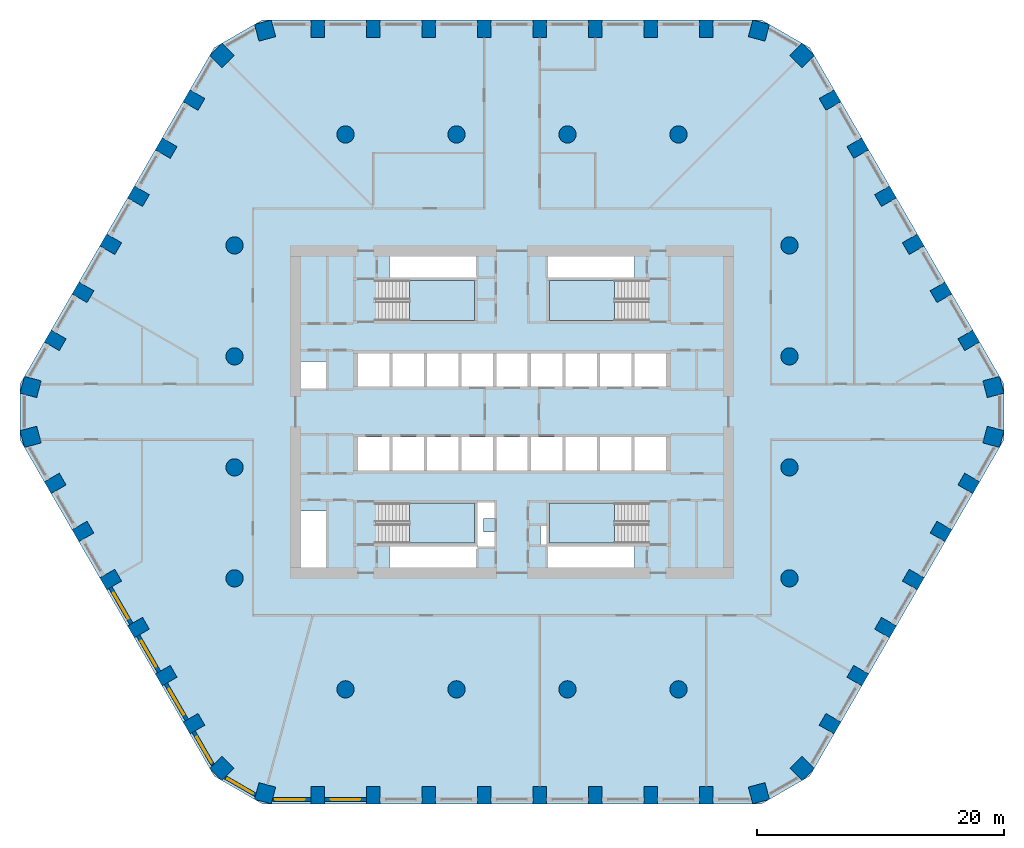
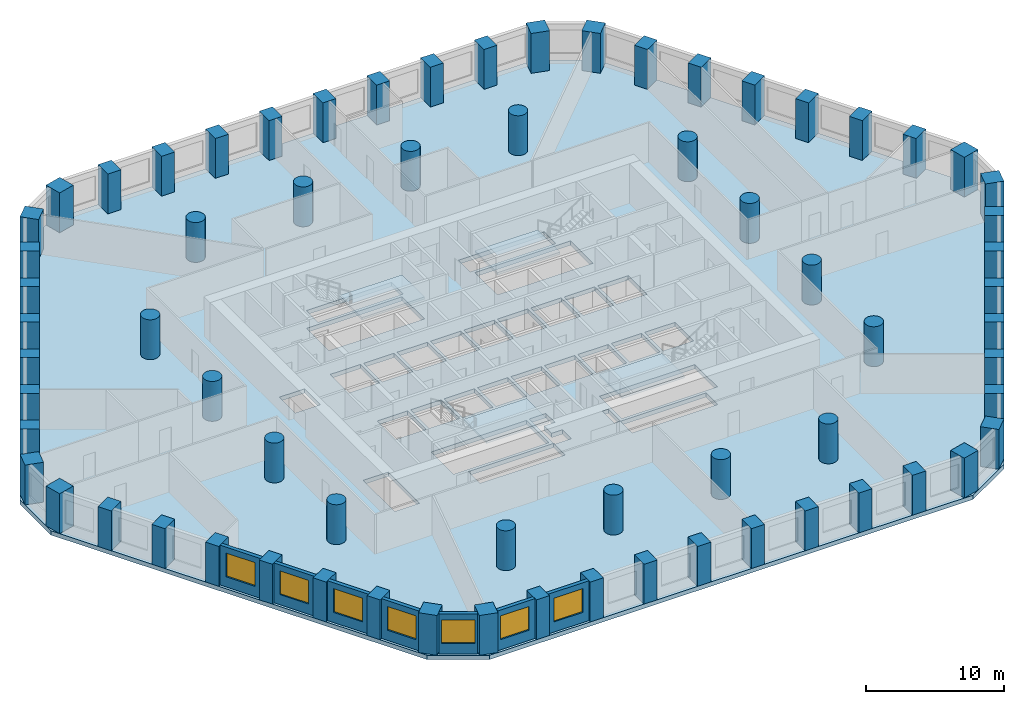
# One storey, part 1 of 10: 68 columns, 7 walls, 7 windows, 5 slabs, 7 openings, 4 elements without a shape of their own.
"""IFC4 building model written with IfcOpenShell, lengths in metres."""

from ifc_helpers import new_model, si_unit, direction, frame, frame_2d, origin, origin_2d, place, context, subcontext, project, spatial, polyline, rectangle, circle, outline, extrude, material, layer, layer_set, material_profile, profile_set, type_object, element, fill, aggregate, save


model = new_model("IFC4")

# Units and contexts
model_context = context("Model", 3, precision=1e-05, world=origin(), true_north=direction((0.0, 1.0)))
body_context = subcontext(model_context, "Body", "Model", "MODEL_VIEW")
ifc_project = project(units=[si_unit("LENGTHUNIT", "METRE"), si_unit("AREAUNIT", "SQUARE_METRE"), si_unit("VOLUMEUNIT", "CUBIC_METRE"), si_unit("PLANEANGLEUNIT", "RADIAN"), si_unit("MASSUNIT", "GRAM", prefix="KILO")], contexts=[model_context])

# Site, building, storey
site_placement = place(None, origin())
site = spatial("IfcSite", under=ifc_project, at=site_placement, CompositionType="ELEMENT")
building_placement = place(site_placement, origin())
building = spatial("IfcBuilding", under=site, at=building_placement, Name="Dhurran Vertical Campus", CompositionType="ELEMENT")
storey_placement = place(building_placement, frame((0.0, 0.0, 61.199951171875)))
storey = spatial("IfcBuildingStorey", under=building, at=storey_placement, Name="L14", CompositionType="ELEMENT", Elevation=61.199951171875)

# Columns
ifc_material_1 = material(Name="Concrete C70/85", Category="concrete")
ifc_material_profile_1 = material_profile(ifc_material_1, rectangle(XDim=1.10009765625, YDim=1.39990234375, at=origin_2d()), Name="RC 1100x1400")
ifc_profile_set_1 = profile_set([ifc_material_profile_1], Name="Concrete C70/85")
column_type_1 = type_object("IfcColumnType", Name="FR COL RC 1100x1400 C70/85", PredefinedType="COLUMN", material=ifc_profile_set_1)
for number, where, z_axis, x_axis, name in (
    (1, (-15.75, -31.079833984375, 0.0), (0.0, 0.0, 1.0), (1.0, 0.0, 0.0), "Perimeter pier PP1.01"),
    (2, (-11.25, -31.079833984375, 0.0), (0.0, 0.0, 1.0), (1.0, 0.0, 0.0), "Perimeter pier PP1.02"),
    (3, (-6.75, -31.079833984375, 0.0), (0.0, 0.0, 1.0), (1.0, 0.0, 0.0), "Perimeter pier PP1.03"),
    (4, (-2.25, -31.079833984375, 0.0), (0.0, 0.0, 1.0), (1.0, 0.0, 0.0), "Perimeter pier PP1.04"),
    (5, (2.25, -31.079833984375, 0.0), (0.0, 0.0, 1.0), (1.0, 0.0, 0.0), "Perimeter pier PP1.05"),
    (6, (6.75, -31.079833984375, 0.0), (0.0, 0.0, 1.0), (1.0, 0.0, 0.0), "Perimeter pier PP1.06"),
    (7, (11.25, -31.079833984375, 0.0), (0.0, 0.0, 1.0), (1.0, 0.0, 0.0), "Perimeter pier PP1.07"),
    (8, (15.75, -31.079833984375, 0.0), (0.0, 0.0, 1.0), (1.0, 0.0, 0.0), "Perimeter pier PP1.08"),
    (9, (25.791015625, -25.28271484375, 0.0), (0.0, 0.0, 1.0), (0.5, 0.866025403784, 0.0), "Perimeter pier PP1.11"),
    (10, (28.041015625, -21.385498046875, 0.0), (0.0, 0.0, 1.0), (0.5, 0.866025403784, 0.0), "Perimeter pier PP1.12"),
    (11, (30.291015625, -17.488525390625, 0.0), (0.0, 0.0, 1.0), (0.5, 0.866025403784, 0.0), "Perimeter pier PP1.13"),
    (12, (32.541015625, -13.59130859375, 0.0), (0.0, 0.0, 1.0), (0.5, 0.866025403784, 0.0), "Perimeter pier PP1.14"),
    (13, (34.791015625, -9.694091796875, 0.0), (0.0, 0.0, 1.0), (0.5, 0.866025403784, 0.0), "Perimeter pier PP1.15"),
    (14, (37.041015625, -5.797119140625, 0.0), (0.0, 0.0, 1.0), (0.5, 0.866025403784, 0.0), "Perimeter pier PP1.16"),
    (15, (37.041015625, 5.797119140625, 0.0), (0.0, 0.0, 1.0), (-0.5, 0.866025403784, 0.0), "Perimeter pier PP1.19"),
    (16, (34.791015625, 9.694091796875, 0.0), (0.0, 0.0, 1.0), (-0.5, 0.866025403784, 0.0), "Perimeter pier PP1.20"),
    (17, (32.541015625, 13.59130859375, 0.0), (0.0, 0.0, 1.0), (-0.5, 0.866025403784, 0.0), "Perimeter pier PP1.21"),
    (18, (30.291015625, 17.488525390625, 0.0), (0.0, 0.0, 1.0), (-0.5, 0.866025403784, 0.0), "Perimeter pier PP1.22"),
    (19, (28.041015625, 21.385498046875, 0.0), (0.0, 0.0, 1.0), (-0.5, 0.866025403784, 0.0), "Perimeter pier PP1.23"),
    (20, (25.791015625, 25.28271484375, 0.0), (0.0, 0.0, 1.0), (-0.5, 0.866025403784, 0.0), "Perimeter pier PP1.24"),
    (21, (15.75, 31.079833984375, 0.0), (0.0, 0.0, 1.0), (-1.0, 0.0, 0.0), "Perimeter pier PP1.27"),
    (22, (11.25, 31.079833984375, 0.0), (0.0, 0.0, 1.0), (-1.0, 0.0, 0.0), "Perimeter pier PP1.28"),
    (23, (6.75, 31.079833984375, 0.0), (0.0, 0.0, 1.0), (-1.0, 0.0, 0.0), "Perimeter pier PP1.29"),
    (24, (2.25, 31.079833984375, 0.0), (0.0, 0.0, 1.0), (-1.0, 0.0, 0.0), "Perimeter pier PP1.30"),
    (25, (-2.25, 31.079833984375, 0.0), (0.0, 0.0, 1.0), (-1.0, 0.0, 0.0), "Perimeter pier PP1.31"),
    (26, (-6.75, 31.079833984375, 0.0), (0.0, 0.0, 1.0), (-1.0, 0.0, 0.0), "Perimeter pier PP1.32"),
    (27, (-11.25, 31.079833984375, 0.0), (0.0, 0.0, 1.0), (-1.0, 0.0, 0.0), "Perimeter pier PP1.33"),
    (28, (-15.75, 31.079833984375, 0.0), (0.0, 0.0, 1.0), (-1.0, 0.0, 0.0), "Perimeter pier PP1.34"),
    (29, (-25.791015625, 25.28271484375, 0.0), (0.0, 0.0, 1.0), (-0.5, -0.866025403784, 0.0), "Perimeter pier PP1.37"),
    (30, (-28.041015625, 21.385498046875, 0.0), (0.0, 0.0, 1.0), (-0.5, -0.866025403784, 0.0), "Perimeter pier PP1.38"),
    (31, (-30.291015625, 17.488525390625, 0.0), (0.0, 0.0, 1.0), (-0.5, -0.866025403784, 0.0), "Perimeter pier PP1.39"),
    (32, (-32.541015625, 13.59130859375, 0.0), (0.0, 0.0, 1.0), (-0.5, -0.866025403784, 0.0), "Perimeter pier PP1.40"),
    (33, (-34.791015625, 9.694091796875, 0.0), (0.0, 0.0, 1.0), (-0.5, -0.866025403784, 0.0), "Perimeter pier PP1.41"),
    (34, (-37.041015625, 5.797119140625, 0.0), (0.0, 0.0, 1.0), (-0.5, -0.866025403784, 0.0), "Perimeter pier PP1.42"),
    (35, (-37.041015625, -5.797119140625, 0.0), (0.0, 0.0, 1.0), (0.5, -0.866025403784, 0.0), "Perimeter pier PP1.45"),
    (36, (-34.791015625, -9.694091796875, 0.0), (0.0, 0.0, 1.0), (0.5, -0.866025403784, 0.0), "Perimeter pier PP1.46"),
    (37, (-32.541015625, -13.59130859375, 0.0), (0.0, 0.0, 1.0), (0.5, -0.866025403784, 0.0), "Perimeter pier PP1.47"),
    (38, (-30.291015625, -17.488525390625, 0.0), (0.0, 0.0, 1.0), (0.5, -0.866025403784, 0.0), "Perimeter pier PP1.48"),
    (39, (-28.041015625, -21.385498046875, 0.0), (0.0, 0.0, 1.0), (0.5, -0.866025403784, 0.0), "Perimeter pier PP1.49"),
    (40, (-25.791015625, -25.28271484375, 0.0), (0.0, 0.0, 1.0), (0.5, -0.866025403784, 0.0), "Perimeter pier PP1.50"),
):
    element("IfcColumn", number, at=place(storey_placement, frame(where, z_axis=z_axis, x_axis=x_axis)), inside=storey, type_object=column_type_1, Name=name, PredefinedType="COLUMN", context=body_context, shape_type="SweptSolid", body=[
        extrude(rectangle(XDim=1.10009765625, YDim=1.39990234375, at=origin_2d()), origin(), (0.0, 0.0, 1.0), 3.525146484375),
    ])
ifc_material_2 = material(Name="Concrete C70/85", Category="concrete")
ifc_material_profile_2 = material_profile(ifc_material_2, rectangle(XDim=1.39990234375, YDim=1.39990234375, at=origin_2d()), Name="RC 1400x1400")
ifc_profile_set_2 = profile_set([ifc_material_profile_2], Name="Concrete C70/85")
column_type_2 = type_object("IfcColumnType", Name="FR COL RC 1400x1400 C70/85", PredefinedType="COLUMN", material=ifc_profile_set_2)
for number, where, z_axis, x_axis, name in (
    (41, (-20.020263671875, -30.922607421875, 0.0), (0.0, 0.0, 1.0), (0.965925826289, -0.258819045103, 0.0), "Perimeter pier PP1.00"),
    (42, (20.020263671875, -30.922607421875, 0.0), (0.0, 0.0, 1.0), (0.965925826289, 0.258819045103, 0.0), "Perimeter pier PP1.09"),
    (43, (23.51953125, -28.902099609375, 0.0), (0.0, 0.0, 1.0), (0.707106781187, 0.707106781187, 0.0), "Perimeter pier PP1.10"),
    (44, (39.039794921875, -2.020263671875, 0.0), (0.0, 0.0, 1.0), (0.258819045103, 0.965925826289, 0.0), "Perimeter pier PP1.17"),
    (45, (39.039794921875, 2.020263671875, 0.0), (0.0, 0.0, 1.0), (-0.258819045103, 0.965925826289, 0.0), "Perimeter pier PP1.18"),
    (46, (23.51953125, 28.902099609375, 0.0), (0.0, 0.0, 1.0), (-0.707106781187, 0.707106781187, 0.0), "Perimeter pier PP1.25"),
    (47, (20.020263671875, 30.922607421875, 0.0), (0.0, 0.0, 1.0), (-0.965925826289, 0.258819045103, 0.0), "Perimeter pier PP1.26"),
    (48, (-20.020263671875, 30.922607421875, 0.0), (0.0, 0.0, 1.0), (-0.965925826289, -0.258819045103, 0.0), "Perimeter pier PP1.35"),
    (49, (-23.51953125, 28.902099609375, 0.0), (0.0, 0.0, 1.0), (-0.707106781187, -0.707106781187, 0.0), "Perimeter pier PP1.36"),
    (50, (-39.039794921875, 2.020263671875, 0.0), (0.0, 0.0, 1.0), (-0.258819045103, -0.965925826289, 0.0), "Perimeter pier PP1.43"),
    (51, (-39.039794921875, -2.020263671875, 0.0), (0.0, 0.0, 1.0), (0.258819045103, -0.965925826289, 0.0), "Perimeter pier PP1.44"),
    (52, (-23.51953125, -28.902099609375, 0.0), (0.0, 0.0, 1.0), (0.707106781187, -0.707106781187, 0.0), "Perimeter pier PP1.51"),
):
    element("IfcColumn", number, at=place(storey_placement, frame(where, z_axis=z_axis, x_axis=x_axis)), inside=storey, type_object=column_type_2, Name=name, PredefinedType="COLUMN", context=body_context, shape_type="SweptSolid", body=[
        extrude(rectangle(XDim=1.39990234375, YDim=1.39990234375, at=origin_2d()), origin(), (0.0, 0.0, 1.0), 3.525146484375),
    ])
ifc_material_3 = material(Name="Concrete C70/85", Category="concrete")
ifc_material_profile_3 = material_profile(ifc_material_3, circle(Radius=0.699951171875, at=origin_2d()), Name="RCC D1400")
ifc_profile_set_3 = profile_set([ifc_material_profile_3], Name="Concrete C70/85")
column_type_3 = type_object("IfcColumnType", Name="FR COL RCC D1400 C70/85", PredefinedType="COLUMN", material=ifc_profile_set_3)
for number, where, z_axis, x_axis, name in (
    (53, (-22.5, -13.5, 0.0), (0.0, 0.0, 1.0), (1.0, 0.0, 0.0), "Inner column IC1-D4"),
    (54, (-22.5, -4.5, 0.0), (0.0, 0.0, 1.0), (1.0, 0.0, 0.0), "Inner column IC1-D5"),
    (55, (-22.5, 4.5, 0.0), (0.0, 0.0, 1.0), (1.0, 0.0, 0.0), "Inner column IC1-D6"),
    (56, (-22.5, 13.5, 0.0), (0.0, 0.0, 1.0), (1.0, 0.0, 0.0), "Inner column IC1-D7"),
    (57, (-13.5, -22.5, 0.0), (0.0, 0.0, 1.0), (1.0, 0.0, 0.0), "Inner column IC1-E3"),
    (58, (-13.5, 22.5, 0.0), (0.0, 0.0, 1.0), (1.0, 0.0, 0.0), "Inner column IC1-E8"),
    (59, (-4.5, -22.5, 0.0), (0.0, 0.0, 1.0), (1.0, 0.0, 0.0), "Inner column IC1-F3"),
    (60, (-4.5, 22.5, 0.0), (0.0, 0.0, 1.0), (1.0, 0.0, 0.0), "Inner column IC1-F8"),
    (61, (4.5, -22.5, 0.0), (0.0, 0.0, 1.0), (1.0, 0.0, 0.0), "Inner column IC1-G3"),
    (62, (4.5, 22.5, 0.0), (0.0, 0.0, 1.0), (1.0, 0.0, 0.0), "Inner column IC1-G8"),
    (63, (13.5, -22.5, 0.0), (0.0, 0.0, 1.0), (1.0, 0.0, 0.0), "Inner column IC1-H3"),
    (64, (13.5, 22.5, 0.0), (0.0, 0.0, 1.0), (1.0, 0.0, 0.0), "Inner column IC1-H8"),
    (65, (22.5, -13.5, 0.0), (0.0, 0.0, 1.0), (1.0, 0.0, 0.0), "Inner column IC1-J4"),
    (66, (22.5, -4.5, 0.0), (0.0, 0.0, 1.0), (1.0, 0.0, 0.0), "Inner column IC1-J5"),
    (67, (22.5, 4.5, 0.0), (0.0, 0.0, 1.0), (1.0, 0.0, 0.0), "Inner column IC1-J6"),
    (68, (22.5, 13.5, 0.0), (0.0, 0.0, 1.0), (1.0, 0.0, 0.0), "Inner column IC1-J7"),
):
    element("IfcColumn", number, at=place(storey_placement, frame(where, z_axis=z_axis, x_axis=x_axis)), inside=storey, type_object=column_type_3, Name=name, PredefinedType="COLUMN", context=body_context, shape_type="SweptSolid", body=[
        extrude(circle(Radius=0.699951171875, at=origin_2d()), origin(), (0.0, 0.0, 1.0), 3.525146484375),
    ])

# Slab
ifc_material_4 = material(Name="Concrete C40/50", Category="concrete")
ifc_layer_1 = layer(ifc_material_4, 0.375)
ifc_layer_set_1 = layer_set([ifc_layer_1], Name="Concrete C40/50")
slab_type_1 = type_object("IfcSlabType", Name="FR POST-TENSIONED FLAT SLAB 375", PredefinedType="FLOOR", material=ifc_layer_set_1)
slab_1_placement = place(storey_placement, frame((0.0, 0.0, -0.375)))
element("IfcSlab", 69, at=slab_1_placement, inside=storey, type_object=slab_type_1, Name="Floor slab L14", PredefinedType="FLOOR", context=body_context, shape_type="SweptSolid", body=[
    extrude(outline(polyline([(-20.25, -31.77978515625), (20.25, -31.77978515625), (24.147216796875, -29.52978515625), (39.897216796875, -2.25), (39.897216796875, 2.25), (24.147216796875, 29.52978515625), (20.25, 31.77978515625), (-20.25, 31.77978515625), (-24.147216796875, 29.52978515625), (-39.897216796875, 2.25), (-39.897216796875, -2.25), (-24.147216796875, -29.52978515625), (-20.25, -31.77978515625)]), holes=[polyline([(-12.47509765625, 2.050048828125), (-9.925048828125, 2.050048828125), (-9.925048828125, 4.75), (-12.47509765625, 4.75), (-12.47509765625, 2.050048828125)]), polyline([(-9.675048828125, 2.050048828125), (-7.125, 2.050048828125), (-7.125, 4.75), (-9.675048828125, 4.75), (-9.675048828125, 2.050048828125)]), polyline([(-6.875, 2.050048828125), (-4.324951171875, 2.050048828125), (-4.324951171875, 4.75), (-6.875, 4.75), (-6.875, 2.050048828125)]), polyline([(-1.27490234375, 2.050048828125), (1.27490234375, 2.050048828125), (1.27490234375, 4.75), (-1.27490234375, 4.75), (-1.27490234375, 2.050048828125)]), polyline([(9.925048828125, 2.050048828125), (12.47509765625, 2.050048828125), (12.47509765625, 4.75), (9.925048828125, 4.75), (9.925048828125, 2.050048828125)]), polyline([(-1.27490234375, -4.75), (1.27490234375, -4.75), (1.27490234375, -2.050048828125), (-1.27490234375, -2.050048828125), (-1.27490234375, -4.75)]), polyline([(1.52490234375, -4.75), (4.074951171875, -4.75), (4.074951171875, -2.050048828125), (1.52490234375, -2.050048828125), (1.52490234375, -4.75)]), polyline([(4.324951171875, -4.75), (6.875, -4.75), (6.875, -2.050048828125), (4.324951171875, -2.050048828125), (4.324951171875, -4.75)]), polyline([(7.125, -4.75), (9.675048828125, -4.75), (9.675048828125, -2.050048828125), (7.125, -2.050048828125), (7.125, -4.75)]), polyline([(9.925048828125, -4.75), (12.47509765625, -4.75), (12.47509765625, -2.050048828125), (9.925048828125, -2.050048828125), (9.925048828125, -4.75)]), polyline([(-4.074951171875, 2.050048828125), (-1.52490234375, 2.050048828125), (-1.52490234375, 4.75), (-4.074951171875, 4.75), (-4.074951171875, 2.050048828125)]), polyline([(1.52490234375, 2.050048828125), (4.074951171875, 2.050048828125), (4.074951171875, 4.75), (1.52490234375, 4.75), (1.52490234375, 2.050048828125)]), polyline([(4.324951171875, 2.050048828125), (6.875, 2.050048828125), (6.875, 4.75), (4.324951171875, 4.75), (4.324951171875, 2.050048828125)]), polyline([(7.125, 2.050048828125), (9.675048828125, 2.050048828125), (9.675048828125, 4.75), (7.125, 4.75), (7.125, 2.050048828125)]), polyline([(-12.47509765625, -4.75), (-9.925048828125, -4.75), (-9.925048828125, -2.050048828125), (-12.47509765625, -2.050048828125), (-12.47509765625, -4.75)]), polyline([(-9.675048828125, -4.75), (-7.125, -4.75), (-7.125, -2.050048828125), (-9.675048828125, -2.050048828125), (-9.675048828125, -4.75)]), polyline([(-6.875, -4.75), (-4.324951171875, -4.75), (-4.324951171875, -2.050048828125), (-6.875, -2.050048828125), (-6.875, -4.75)]), polyline([(-4.074951171875, -4.75), (-1.52490234375, -4.75), (-1.52490234375, -2.050048828125), (-4.074951171875, -2.050048828125), (-4.074951171875, -4.75)]), polyline([(-11.050048828125, 7.39990234375), (-3.050048828125, 7.39990234375), (-3.050048828125, 10.64990234375), (-11.050048828125, 10.64990234375), (-11.050048828125, 7.39990234375)]), polyline([(3.050048828125, 7.39990234375), (11.050048828125, 7.39990234375), (11.050048828125, 10.64990234375), (3.050048828125, 10.64990234375), (3.050048828125, 7.39990234375)]), polyline([(-11.050048828125, -10.64990234375), (-3.050048828125, -10.64990234375), (-3.050048828125, -7.39990234375), (-11.050048828125, -7.39990234375), (-11.050048828125, -10.64990234375)]), polyline([(3.050048828125, -10.64990234375), (11.050048828125, -10.64990234375), (11.050048828125, -7.39990234375), (3.050048828125, -7.39990234375), (3.050048828125, -10.64990234375)]), polyline([(-9.949951171875, 10.89990234375), (-9.949951171875, 12.60009765625), (-2.800048828125, 12.60009765625), (-2.800048828125, 10.89990234375), (-9.949951171875, 10.89990234375)]), polyline([(9.949951171875, 12.60009765625), (9.949951171875, 10.89990234375), (2.800048828125, 10.89990234375), (2.800048828125, 12.60009765625), (9.949951171875, 12.60009765625)]), polyline([(-9.949951171875, -12.60009765625), (-9.949951171875, -10.89990234375), (-2.800048828125, -10.89990234375), (-2.800048828125, -12.60009765625), (-9.949951171875, -12.60009765625)]), polyline([(9.949951171875, -10.89990234375), (9.949951171875, -12.60009765625), (2.800048828125, -12.60009765625), (2.800048828125, -10.89990234375), (9.949951171875, -10.89990234375)]), polyline([(-17.10009765625, -8.050048828125), (-15.0, -8.050048828125), (-15.0, -12.60009765625), (-17.10009765625, -12.60009765625), (-17.10009765625, -8.050048828125)]), polyline([(-2.800048828125, -7.35009765625), (-1.39990234375, -7.35009765625), (-1.39990234375, -8.637451171875), (-2.300048828125, -8.637451171875), (-2.300048828125, -9.737548828125), (-1.39990234375, -9.737548828125), (-1.39990234375, -11.02490234375), (-2.75, -11.02490234375), (-2.75, -10.85009765625), (-2.800048828125, -10.85009765625), (-2.800048828125, -7.35009765625)]), polyline([(2.300048828125, -10.867431640625), (2.300048828125, -9.135009765625), (2.800048828125, -9.135009765625), (2.800048828125, -10.85009765625), (2.75, -10.85009765625), (2.75, -10.867431640625), (2.300048828125, -10.867431640625)]), polyline([(-17.10009765625, 4.10009765625), (-15.0, 4.10009765625), (-15.0, 1.800048828125), (-17.10009765625, 1.800048828125), (-17.10009765625, 4.10009765625)])]), origin(), (0.0, 0.0, 1.0), 0.375),
])

# Stair, slab
ifc_material_5 = material(Name="Concrete C40/50", Category="concrete")
stair_type = type_object("IfcStairType", Name="co-ST-CORE", PredefinedType="HALF_TURN_STAIR", material=ifc_material_5)
stair_1_placement = place(storey_placement, origin())
stair_1 = element("IfcStair", 70, at=stair_1_placement, inside=storey, type_object=stair_type, Name="L14 Protected exit stair ST1", PredefinedType="HALF_TURN_STAIR")
ifc_material_6 = material(Name="Concrete C40/50", Category="concrete")
ifc_layer_2 = layer(ifc_material_6, 0.199951171875)
ifc_layer_set_2 = layer_set([ifc_layer_2], Name="Concrete C40/50")
slab_type_2 = type_object("IfcSlabType", Name="co-SL-LANDING", PredefinedType="LANDING", material=ifc_layer_set_2)
slab_2_placement = place(storey_placement, frame((0.0, 0.0, 1.75)))
slab_2 = element("IfcSlab", 71, at=slab_2_placement, type_object=slab_type_2, Name="ST1 landing 1", PredefinedType="LANDING", context=body_context, shape_type="SweptSolid", body=[
    extrude(outline(polyline([(-8.300048828125, 7.39990234375), (-3.050048828125, 7.39990234375), (-3.050048828125, 10.64990234375), (-8.300048828125, 10.64990234375), (-8.300048828125, 7.39990234375)])), origin(), (0.0, 0.0, 1.0), 0.199951171875),
])
aggregate(stair_1, [slab_2])

stair_2_placement = place(storey_placement, origin())
stair_2 = element("IfcStair", 72, at=stair_2_placement, inside=storey, type_object=stair_type, Name="L14 Protected exit stair ST2", PredefinedType="HALF_TURN_STAIR")
slab_3_placement = place(storey_placement, frame((0.0, 0.0, 1.75)))
slab_3 = element("IfcSlab", 73, at=slab_3_placement, type_object=slab_type_2, Name="ST2 landing 1", PredefinedType="LANDING", context=body_context, shape_type="SweptSolid", body=[
    extrude(outline(polyline([(8.300048828125, 10.64990234375), (3.050048828125, 10.64990234375), (3.050048828125, 7.39990234375), (8.300048828125, 7.39990234375), (8.300048828125, 10.64990234375)])), origin(), (0.0, 0.0, 1.0), 0.199951171875),
])
aggregate(stair_2, [slab_3])

stair_3_placement = place(storey_placement, origin())
stair_3 = element("IfcStair", 74, at=stair_3_placement, inside=storey, type_object=stair_type, Name="L14 Protected exit stair ST3", PredefinedType="HALF_TURN_STAIR")
slab_4_placement = place(storey_placement, frame((0.0, 0.0, 1.75)))
slab_4 = element("IfcSlab", 75, at=slab_4_placement, type_object=slab_type_2, Name="ST3 landing 1", PredefinedType="LANDING", context=body_context, shape_type="SweptSolid", body=[
    extrude(outline(polyline([(-8.300048828125, -10.64990234375), (-3.050048828125, -10.64990234375), (-3.050048828125, -7.39990234375), (-8.300048828125, -7.39990234375), (-8.300048828125, -10.64990234375)])), origin(), (0.0, 0.0, 1.0), 0.199951171875),
])
aggregate(stair_3, [slab_4])

stair_4_placement = place(storey_placement, origin())
stair_4 = element("IfcStair", 76, at=stair_4_placement, inside=storey, type_object=stair_type, Name="L14 Protected exit stair ST4", PredefinedType="HALF_TURN_STAIR")
slab_5_placement = place(storey_placement, frame((0.0, 0.0, 1.75)))
slab_5 = element("IfcSlab", 77, at=slab_5_placement, type_object=slab_type_2, Name="ST4 landing 1", PredefinedType="LANDING", context=body_context, shape_type="SweptSolid", body=[
    extrude(outline(polyline([(8.300048828125, -7.39990234375), (3.050048828125, -7.39990234375), (3.050048828125, -10.64990234375), (8.300048828125, -10.64990234375), (8.300048828125, -7.39990234375)])), origin(), (0.0, 0.0, 1.0), 0.199951171875),
])
aggregate(stair_4, [slab_5])

# Wall, opening, window
ifc_material_7 = material(Name="Precast concrete C50/60", Category="concrete")
ifc_layer_3 = layer(ifc_material_7, 0.300048828125)
ifc_layer_set_3 = layer_set([ifc_layer_3], Name="Precast concrete C50/60")
wall_type = type_object("IfcWallType", Name="Precast spandrel wall 300", PredefinedType="SOLIDWALL", material=ifc_layer_set_3)
wall_1_placement = place(storey_placement, frame((-19.39111328125, -31.4296875, 0.0), z_axis=(0.0, 0.0, 1.0), x_axis=(1.0, 0.0, 0.0)))
wall_1 = element("IfcWall", 78, at=wall_1_placement, inside=storey, type_object=wall_type, Name="EW1 L14.00", PredefinedType="SOLIDWALL", context=body_context, shape_type="SweptSolid", body=[
    extrude(rectangle(XDim=3.090576171875, YDim=0.300048828125, at=frame_2d((1.54541015625, 0.0))), origin(), (0.0, 0.0, 1.0), 3.525146484375),
])
opening_1_placement = place(wall_1_placement, frame((0.191162109375, 0.0, 0.89990234375)))
opening_1 = element("IfcOpeningElement", 79, at=opening_1_placement, cuts=wall_1, Name="Opening WT1", PredefinedType="OPENING", context=body_context, shape_type="SweptSolid", body=[
    extrude(rectangle(XDim=2.39990234375, YDim=2.10009765625, at=frame_2d((1.199951171875, 1.050048828125))), frame((0.0, 0.159912109375, 0.0), z_axis=(0.0, -1.0, 0.0), x_axis=(1.0, 0.0, 0.0)), (0.0, 0.0, 1.0), 0.320068359375),
])
ifc_material_8 = material(Name="Aluminium frame with solar-control glass", Category="aluminium")
window_type = type_object("IfcWindowType", Name="Punched window 2400 x 2100", PartitioningType="SINGLE_PANEL", PredefinedType="WINDOW", material=ifc_material_8)
window_1_placement = place(opening_1_placement, origin())
window_1 = element("IfcWindow", 80, at=window_1_placement, inside=storey, type_object=window_type, Name="WT1 L14.00", OverallHeight=2.10009765625, OverallWidth=2.39990234375, PartitioningType="SINGLE_PANEL", PredefinedType="WINDOW", context=body_context, shape_type="SweptSolid", body=[
    extrude(rectangle(XDim=2.39990234375, YDim=2.10009765625, at=frame_2d((1.199951171875, 1.050048828125))), frame((0.0, 0.030029296875, 0.0), z_axis=(0.0, -1.0, 0.0), x_axis=(1.0, 0.0, 0.0)), (0.0, 0.0, 1.0), 0.06005859375),
])
fill(opening_1, window_1)

wall_2_placement = place(storey_placement, frame((-15.199462890625, -31.4296875, 0.0), z_axis=(0.0, 0.0, 1.0), x_axis=(1.0, 0.0, 0.0)))
wall_2 = element("IfcWall", 81, at=wall_2_placement, inside=storey, type_object=wall_type, Name="EW1 L14.01", PredefinedType="SOLIDWALL", context=body_context, shape_type="SweptSolid", body=[
    extrude(rectangle(XDim=3.39892578125, YDim=0.300048828125, at=frame_2d((1.699462890625, 0.0))), origin(), (0.0, 0.0, 1.0), 3.525146484375),
])
opening_2_placement = place(wall_2_placement, frame((0.49951171875, 0.0, 0.89990234375)))
opening_2 = element("IfcOpeningElement", 82, at=opening_2_placement, cuts=wall_2, Name="Opening WT1", PredefinedType="OPENING", context=body_context, shape_type="SweptSolid", body=[
    extrude(rectangle(XDim=2.39990234375, YDim=2.10009765625, at=frame_2d((1.199951171875, 1.050048828125))), frame((0.0, 0.159912109375, 0.0), z_axis=(0.0, -1.0, 0.0), x_axis=(1.0, 0.0, 0.0)), (0.0, 0.0, 1.0), 0.320068359375),
])
window_2_placement = place(opening_2_placement, origin())
window_2 = element("IfcWindow", 83, at=window_2_placement, inside=storey, type_object=window_type, Name="WT1 L14.01", OverallHeight=2.10009765625, OverallWidth=2.39990234375, PartitioningType="SINGLE_PANEL", PredefinedType="WINDOW", context=body_context, shape_type="SweptSolid", body=[
    extrude(rectangle(XDim=2.39990234375, YDim=2.10009765625, at=frame_2d((1.199951171875, 1.050048828125))), frame((0.0, 0.030029296875, 0.0), z_axis=(0.0, -1.0, 0.0), x_axis=(1.0, 0.0, 0.0)), (0.0, 0.0, 1.0), 0.06005859375),
])
fill(opening_2, window_2)

wall_3_placement = place(storey_placement, frame((-32.56884765625, -14.2431640625, 0.0), z_axis=(0.0, 0.0, 1.0), x_axis=(0.499993955907, -0.866028893315, 0.0)))
wall_3 = element("IfcWall", 84, at=wall_3_placement, inside=storey, type_object=wall_type, Name="EW1 L14.47", PredefinedType="SOLIDWALL", context=body_context, shape_type="SweptSolid", body=[
    extrude(rectangle(XDim=3.39892578125, YDim=0.300048828125, at=frame_2d((1.699462890625, 0.0))), origin(), (0.0, 0.0, 1.0), 3.525146484375),
])
opening_3_placement = place(wall_3_placement, frame((0.49951171875, 0.0, 0.89990234375)))
opening_3 = element("IfcOpeningElement", 85, at=opening_3_placement, cuts=wall_3, Name="Opening WT1", PredefinedType="OPENING", context=body_context, shape_type="SweptSolid", body=[
    extrude(rectangle(XDim=2.39990234375, YDim=2.10009765625, at=frame_2d((1.199951171875, 1.050048828125))), frame((0.0, 0.159912109375, 0.0), z_axis=(0.0, -1.0, 0.0), x_axis=(1.0, 0.0, 0.0)), (0.0, 0.0, 1.0), 0.320068359375),
])
window_3_placement = place(opening_3_placement, origin())
window_3 = element("IfcWindow", 86, at=window_3_placement, inside=storey, type_object=window_type, Name="WT1 L14.47", OverallHeight=2.10009765625, OverallWidth=2.39990234375, PartitioningType="SINGLE_PANEL", PredefinedType="WINDOW", context=body_context, shape_type="SweptSolid", body=[
    extrude(rectangle(XDim=2.39990234375, YDim=2.10009765625, at=frame_2d((1.199951171875, 1.050048828125))), frame((0.0, 0.030029296875, 0.0), z_axis=(0.0, -1.0, 0.0), x_axis=(1.0, 0.0, 0.0)), (0.0, 0.0, 1.0), 0.06005859375),
])
fill(opening_3, window_3)

wall_4_placement = place(storey_placement, frame((-30.31884765625, -18.14013671875, 0.0), z_axis=(0.0, 0.0, 1.0), x_axis=(0.499993955907, -0.866028893315, 0.0)))
wall_4 = element("IfcWall", 87, at=wall_4_placement, inside=storey, type_object=wall_type, Name="EW1 L14.48", PredefinedType="SOLIDWALL", context=body_context, shape_type="SweptSolid", body=[
    extrude(rectangle(XDim=3.39892578125, YDim=0.300048828125, at=frame_2d((1.699462890625, 0.0))), origin(), (0.0, 0.0, 1.0), 3.525146484375),
])
opening_4_placement = place(wall_4_placement, frame((0.49951171875, 0.0, 0.89990234375)))
opening_4 = element("IfcOpeningElement", 88, at=opening_4_placement, cuts=wall_4, Name="Opening WT1", PredefinedType="OPENING", context=body_context, shape_type="SweptSolid", body=[
    extrude(rectangle(XDim=2.39990234375, YDim=2.10009765625, at=frame_2d((1.199951171875, 1.050048828125))), frame((0.0, 0.159912109375, 0.0), z_axis=(0.0, -1.0, 0.0), x_axis=(1.0, 0.0, 0.0)), (0.0, 0.0, 1.0), 0.320068359375),
])
window_4_placement = place(opening_4_placement, origin())
window_4 = element("IfcWindow", 89, at=window_4_placement, inside=storey, type_object=window_type, Name="WT1 L14.48", OverallHeight=2.10009765625, OverallWidth=2.39990234375, PartitioningType="SINGLE_PANEL", PredefinedType="WINDOW", context=body_context, shape_type="SweptSolid", body=[
    extrude(rectangle(XDim=2.39990234375, YDim=2.10009765625, at=frame_2d((1.199951171875, 1.050048828125))), frame((0.0, 0.030029296875, 0.0), z_axis=(0.0, -1.0, 0.0), x_axis=(1.0, 0.0, 0.0)), (0.0, 0.0, 1.0), 0.06005859375),
])
fill(opening_4, window_4)

wall_5_placement = place(storey_placement, frame((-28.06884765625, -22.037353515625, 0.0), z_axis=(0.0, 0.0, 1.0), x_axis=(0.499993955907, -0.866028893315, 0.0)))
wall_5 = element("IfcWall", 90, at=wall_5_placement, inside=storey, type_object=wall_type, Name="EW1 L14.49", PredefinedType="SOLIDWALL", context=body_context, shape_type="SweptSolid", body=[
    extrude(rectangle(XDim=3.39892578125, YDim=0.300048828125, at=frame_2d((1.699462890625, 0.0))), origin(), (0.0, 0.0, 1.0), 3.525146484375),
])
opening_5_placement = place(wall_5_placement, frame((0.49951171875, 0.0, 0.89990234375)))
opening_5 = element("IfcOpeningElement", 91, at=opening_5_placement, cuts=wall_5, Name="Opening WT1", PredefinedType="OPENING", context=body_context, shape_type="SweptSolid", body=[
    extrude(rectangle(XDim=2.39990234375, YDim=2.10009765625, at=frame_2d((1.199951171875, 1.050048828125))), frame((0.0, 0.159912109375, 0.0), z_axis=(0.0, -1.0, 0.0), x_axis=(1.0, 0.0, 0.0)), (0.0, 0.0, 1.0), 0.320068359375),
])
window_5_placement = place(opening_5_placement, origin())
window_5 = element("IfcWindow", 92, at=window_5_placement, inside=storey, type_object=window_type, Name="WT1 L14.49", OverallHeight=2.10009765625, OverallWidth=2.39990234375, PartitioningType="SINGLE_PANEL", PredefinedType="WINDOW", context=body_context, shape_type="SweptSolid", body=[
    extrude(rectangle(XDim=2.39990234375, YDim=2.10009765625, at=frame_2d((1.199951171875, 1.050048828125))), frame((0.0, 0.030029296875, 0.0), z_axis=(0.0, -1.0, 0.0), x_axis=(1.0, 0.0, 0.0)), (0.0, 0.0, 1.0), 0.06005859375),
])
fill(opening_5, window_5)

wall_6_placement = place(storey_placement, frame((-25.81884765625, -25.934326171875, 0.0), z_axis=(0.0, 0.0, 1.0), x_axis=(0.499995950774, -0.866027741594, 0.0)))
wall_6 = element("IfcWall", 93, at=wall_6_placement, inside=storey, type_object=wall_type, Name="EW1 L14.50", PredefinedType="SOLIDWALL", context=body_context, shape_type="SweptSolid", body=[
    extrude(rectangle(XDim=3.0908203125, YDim=0.300048828125, at=frame_2d((1.54541015625, 0.0))), origin(), (0.0, 0.0, 1.0), 3.525146484375),
])
opening_6_placement = place(wall_6_placement, frame((0.49951171875, 0.0, 0.89990234375)))
opening_6 = element("IfcOpeningElement", 94, at=opening_6_placement, cuts=wall_6, Name="Opening WT1", PredefinedType="OPENING", context=body_context, shape_type="SweptSolid", body=[
    extrude(rectangle(XDim=2.39990234375, YDim=2.10009765625, at=frame_2d((1.199951171875, 1.050048828125))), frame((0.0, 0.159912109375, 0.0), z_axis=(0.0, -1.0, 0.0), x_axis=(1.0, 0.0, 0.0)), (0.0, 0.0, 1.0), 0.320068359375),
])
window_6_placement = place(opening_6_placement, origin())
window_6 = element("IfcWindow", 95, at=window_6_placement, inside=storey, type_object=window_type, Name="WT1 L14.50", OverallHeight=2.10009765625, OverallWidth=2.39990234375, PartitioningType="SINGLE_PANEL", PredefinedType="WINDOW", context=body_context, shape_type="SweptSolid", body=[
    extrude(rectangle(XDim=2.39990234375, YDim=2.10009765625, at=frame_2d((1.199951171875, 1.050048828125))), frame((0.0, 0.030029296875, 0.0), z_axis=(0.0, -1.0, 0.0), x_axis=(1.0, 0.0, 0.0)), (0.0, 0.0, 1.0), 0.06005859375),
])
fill(opening_6, window_6)

wall_7_placement = place(storey_placement, frame((-23.228271484375, -29.656005859375, 0.0), z_axis=(0.0, 0.0, 1.0), x_axis=(0.866020456713, -0.500008568482, 0.0)))
wall_7 = element("IfcWall", 96, at=wall_7_placement, inside=storey, type_object=wall_type, Name="EW1 L14.51", PredefinedType="SOLIDWALL", context=body_context, shape_type="SweptSolid", body=[
    extrude(rectangle(XDim=2.7822265625, YDim=0.300048828125, at=frame_2d((1.39111328125, 0.0))), origin(), (0.0, 0.0, 1.0), 3.525146484375),
])
opening_7_placement = place(wall_7_placement, frame((0.191162109375, 0.0, 0.89990234375)))
opening_7 = element("IfcOpeningElement", 97, at=opening_7_placement, cuts=wall_7, Name="Opening WT1", PredefinedType="OPENING", context=body_context, shape_type="SweptSolid", body=[
    extrude(rectangle(XDim=2.39990234375, YDim=2.10009765625, at=frame_2d((1.199951171875, 1.050048828125))), frame((0.0, 0.159912109375, 0.0), z_axis=(0.0, -1.0, 0.0), x_axis=(1.0, 0.0, 0.0)), (0.0, 0.0, 1.0), 0.320068359375),
])
window_7_placement = place(opening_7_placement, origin())
window_7 = element("IfcWindow", 98, at=window_7_placement, inside=storey, type_object=window_type, Name="WT1 L14.51", OverallHeight=2.10009765625, OverallWidth=2.39990234375, PartitioningType="SINGLE_PANEL", PredefinedType="WINDOW", context=body_context, shape_type="SweptSolid", body=[
    extrude(rectangle(XDim=2.39990234375, YDim=2.10009765625, at=frame_2d((1.199951171875, 1.050048828125))), frame((0.0, 0.030029296875, 0.0), z_axis=(0.0, -1.0, 0.0), x_axis=(1.0, 0.0, 0.0)), (0.0, 0.0, 1.0), 0.06005859375),
])
fill(opening_7, window_7)

save(model, "model.ifc")
